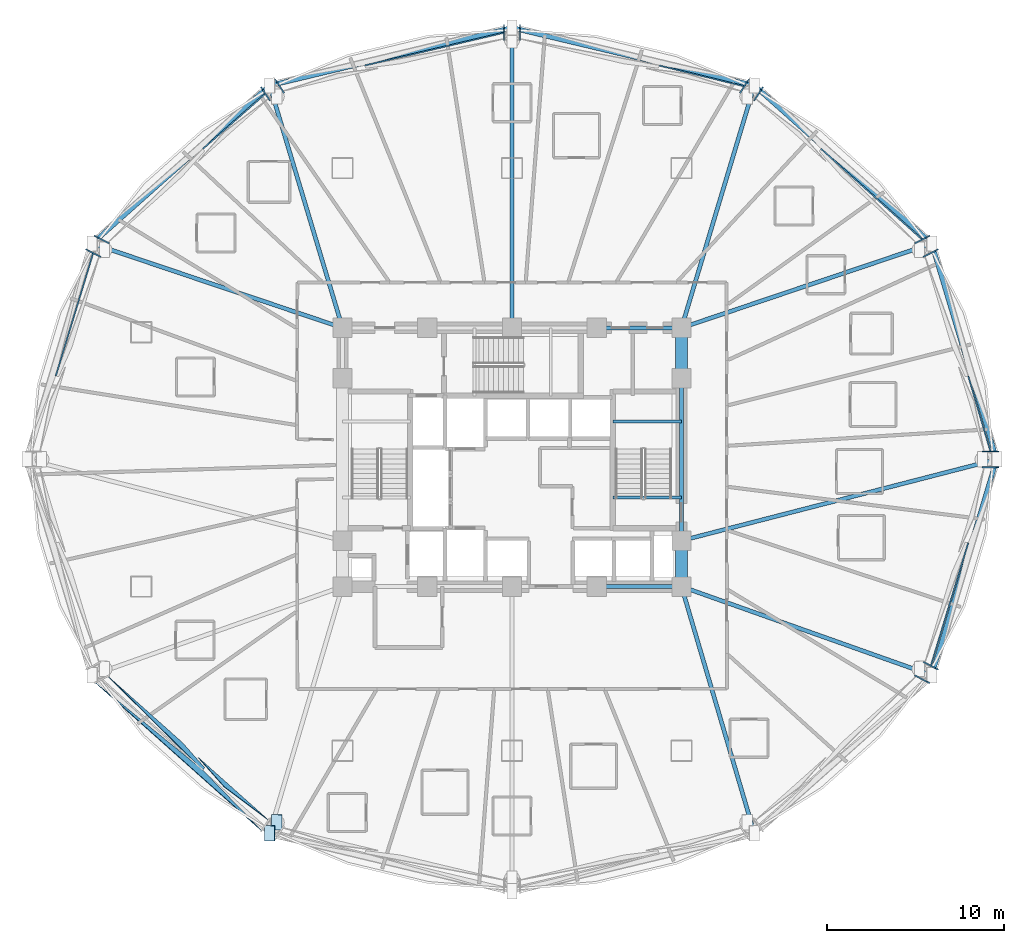
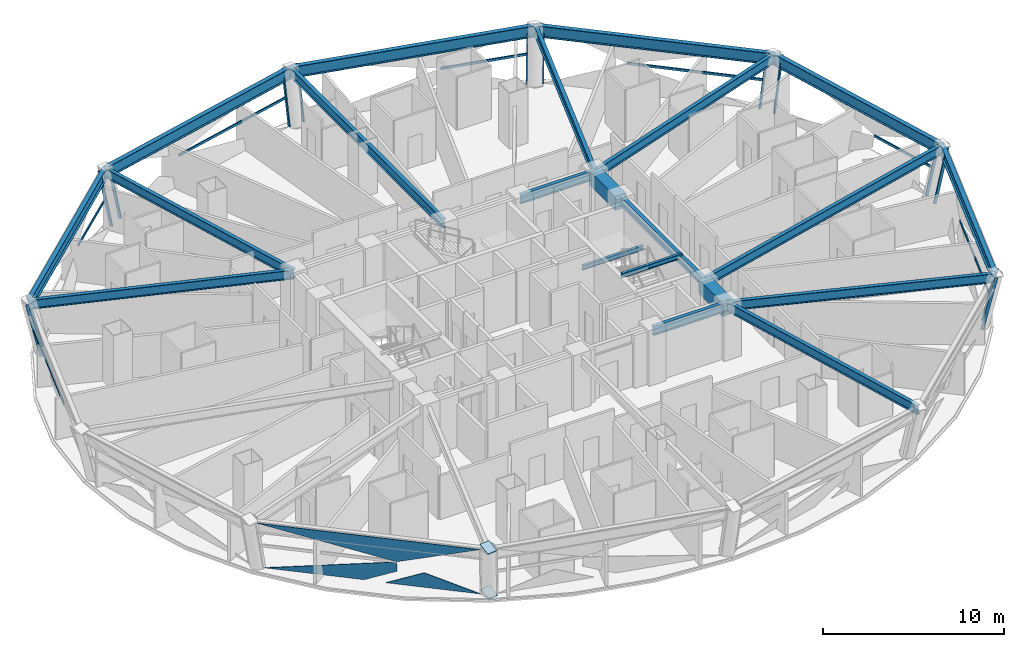
# One storey, part 2 of 13: 21 beams, 21 members, 5 plates, 9 elements without a shape of their own.
"""IFC4 building model written with IfcOpenShell, lengths in metres."""

from ifc_helpers import new_model, si_unit, direction, frame, origin, origin_2d, place, context, subcontext, project, spatial, polyline, rectangle, hollow_rectangle, i_section, outline, extrude, material, layer, layer_set, material_profile, profile_set, type_object, element, aggregate, save


model = new_model("IFC4")

# Units and contexts
model_context = context("Model", 3, precision=1e-05, world=origin(), true_north=direction((0.0, 1.0)))
body_context = subcontext(model_context, "Body", "Model", "MODEL_VIEW")
ifc_project = project(units=[si_unit("LENGTHUNIT", "METRE"), si_unit("AREAUNIT", "SQUARE_METRE"), si_unit("VOLUMEUNIT", "CUBIC_METRE"), si_unit("PLANEANGLEUNIT", "RADIAN"), si_unit("MASSUNIT", "GRAM", prefix="KILO")], contexts=[model_context])

# Site, building, storey
site_placement = place(None, origin())
site = spatial("IfcSite", under=ifc_project, at=site_placement, CompositionType="ELEMENT")
building_placement = place(site_placement, origin())
building = spatial("IfcBuilding", under=site, at=building_placement, Name="Vantalir Tower", CompositionType="ELEMENT")
storey_placement = place(building_placement, frame((0.0, 0.0, 53.25)))
storey = spatial("IfcBuildingStorey", under=building, at=storey_placement, Name="L12", CompositionType="ELEMENT", Elevation=53.25)

# Beams
ifc_material_1 = material(Name="Concrete C60/75", Category="concrete")
ifc_material_profile_1 = material_profile(ifc_material_1, rectangle(XDim=0.699951171875, YDim=0.949951171875, at=origin_2d()), Name="Concrete C60/75")
ifc_profile_set_1 = profile_set([ifc_material_profile_1], Name="Concrete C60/75")
beam_type_1 = type_object("IfcBeamType", Name="BM-CB-700x950", PredefinedType="USERDEFINED", material=ifc_profile_set_1)
beam_1_placement = place(storey_placement, frame((41.10009765625, 17.800048828125, 3.094970703125), z_axis=(0.0, 1.0, 0.0), x_axis=(-1.0, 0.0, 0.0)))
element("IfcBeam", 1, at=beam_1_placement, inside=storey, type_object=beam_type_1, Name="L12 Core Coupling Girder 05", ObjectType="GIRDER", PredefinedType="USERDEFINED", context=body_context, shape_type="SweptSolid", body=[
    extrude(rectangle(XDim=0.699951171875, YDim=0.949951171875, at=origin_2d()), origin(), (0.0, 0.0, 1.0), 2.599853515625),
])
beam_2_placement = place(storey_placement, frame((41.10009765625, 29.60009765625, 3.094970703125), z_axis=(0.0, 1.0, 0.0), x_axis=(-1.0, 0.0, 0.0)))
element("IfcBeam", 2, at=beam_2_placement, inside=storey, type_object=beam_type_1, Name="L12 Core Coupling Girder 07", ObjectType="GIRDER", PredefinedType="USERDEFINED", context=body_context, shape_type="SweptSolid", body=[
    extrude(rectangle(XDim=0.699951171875, YDim=0.949951171875, at=origin_2d()), origin(), (0.0, 0.0, 1.0), 2.849853515625),
])
ifc_material_2 = material(Name="Steel S355", Category="steel")
ifc_material_profile_2 = material_profile(ifc_material_2, i_section(OverallWidth=0.166015625, OverallDepth=0.306884765625, WebThickness=0.006591796875, FlangeThickness=0.01171875, at=origin_2d()), Name="Steel S355")
ifc_profile_set_2 = profile_set([ifc_material_profile_2], Name="Steel S355")
beam_type_2 = type_object("IfcBeamType", Name="BM-JS-305x165", PredefinedType="JOIST", material=ifc_profile_set_2)
for number, where, z_axis, x_axis, name in (
    (3, (37.2099609375, 22.8349609375, 3.595947265625), (1.0, 0.0, 0.0), (0.0, 1.0, 0.0), "L13 Stair ST2 Well Nosing Trimmer Beam"),
    (4, (37.2099609375, 27.14501953125, 1.52099609375), (1.0, 0.0, 0.0), (0.0, 1.0, 0.0), "L12 Stair ST2 Half-Landing Support Beam"),
):
    element("IfcBeam", number, at=place(storey_placement, frame(where, z_axis=z_axis, x_axis=x_axis)), inside=storey, type_object=beam_type_2, Name=name, PredefinedType="JOIST", context=body_context, shape_type="SweptSolid", body=[
        extrude(i_section(OverallWidth=0.166015625, OverallDepth=0.306884765625, WebThickness=0.006591796875, FlangeThickness=0.01171875, at=origin_2d()), origin(), (0.0, 0.0, 1.0), 3.89013671875),
    ])
ifc_material_profile_3 = material_profile(ifc_material_2, i_section(OverallWidth=0.22998046875, OverallDepth=0.616943359375, WebThickness=0.01318359375, FlangeThickness=0.022216796875, at=origin_2d()), Name="Steel S355")
ifc_profile_set_3 = profile_set([ifc_material_profile_3], Name="Steel S355")
beam_type_3 = type_object("IfcBeamType", Name="BM-RB-610x229", PredefinedType="BEAM", material=ifc_profile_set_3)
beam_3_placement = place(storey_placement, frame((36.300048828125, 17.800048828125, 3.261962890625), z_axis=(1.0, 0.0, 0.0), x_axis=(0.0, 1.0, 0.0)))
element("IfcBeam", 5, at=beam_3_placement, inside=storey, type_object=beam_type_3, Name="L12 Core Coupling Girder 04", PredefinedType="BEAM", context=body_context, shape_type="SweptSolid", body=[
    extrude(i_section(OverallWidth=0.22998046875, OverallDepth=0.616943359375, WebThickness=0.01318359375, FlangeThickness=0.022216796875, at=origin_2d()), origin(), (0.0, 0.0, 1.0), 4.800048828125),
])
beam_4_placement = place(storey_placement, frame((41.10009765625, 20.39990234375, 3.261962890625), z_axis=(0.0, 1.0, 0.0), x_axis=(-1.0, 0.0, 0.0)))
element("IfcBeam", 6, at=beam_4_placement, inside=storey, type_object=beam_type_3, Name="L12 Core Coupling Girder 06", PredefinedType="BEAM", context=body_context, shape_type="SweptSolid", body=[
    extrude(i_section(OverallWidth=0.22998046875, OverallDepth=0.616943359375, WebThickness=0.01318359375, FlangeThickness=0.022216796875, at=origin_2d()), origin(), (0.0, 0.0, 1.0), 9.2001953125),
])
beam_5_placement = place(storey_placement, frame((41.10009765625, 32.449951171875, 3.261962890625), z_axis=(-1.0, 0.0, 0.0), x_axis=(0.0, -1.0, 0.0)))
element("IfcBeam", 7, at=beam_5_placement, inside=storey, type_object=beam_type_3, Name="L12 Core Coupling Girder 08", PredefinedType="BEAM", context=body_context, shape_type="SweptSolid", body=[
    extrude(i_section(OverallWidth=0.22998046875, OverallDepth=0.616943359375, WebThickness=0.01318359375, FlangeThickness=0.022216796875, at=origin_2d()), origin(), (0.0, 0.0, 1.0), 4.800048828125),
])
beam_6_placement = place(storey_placement, frame((58.950927734375, 25.0, 3.261962890625), z_axis=(-0.968363475004, -0.249543944582, 0.0), x_axis=(0.249543944582, -0.968363475004, 0.0)))
element("IfcBeam", 8, at=beam_6_placement, inside=storey, type_object=beam_type_3, Name="L12 Radial Floor Beam 01", PredefinedType="BEAM", context=body_context, shape_type="SweptSolid", body=[
    extrude(i_section(OverallWidth=0.22998046875, OverallDepth=0.616943359375, WebThickness=0.01318359375, FlangeThickness=0.022216796875, at=origin_2d()), origin(), (0.0, 0.0, 1.0), 18.43408203125),
])
beam_7_placement = place(storey_placement, frame((55.27294921875, 37.22509765625, 3.261962890625), z_axis=(-0.947658091823, -0.319286925825, 0.0), x_axis=(0.319286925825, -0.947658091823, 0.0)))
element("IfcBeam", 9, at=beam_7_placement, inside=storey, type_object=beam_type_3, Name="L12 Radial Floor Beam 02", PredefinedType="BEAM", context=body_context, shape_type="SweptSolid", body=[
    extrude(i_section(OverallWidth=0.22998046875, OverallDepth=0.616943359375, WebThickness=0.01318359375, FlangeThickness=0.022216796875, at=origin_2d()), origin(), (0.0, 0.0, 1.0), 14.95556640625),
])
beam_8_placement = place(storey_placement, frame((45.22607421875, 46.175048828125, 3.261962890625), z_axis=(-0.287888578324, -0.95766391102, 0.0), x_axis=(0.95766391102, -0.287888578324, 0.0)))
element("IfcBeam", 10, at=beam_8_placement, inside=storey, type_object=beam_type_3, Name="L12 Radial Floor Beam 03", PredefinedType="BEAM", context=body_context, shape_type="SweptSolid", body=[
    extrude(i_section(OverallWidth=0.22998046875, OverallDepth=0.616943359375, WebThickness=0.01318359375, FlangeThickness=0.022216796875, at=origin_2d()), origin(), (0.0, 0.0, 1.0), 14.331787109375),
])
beam_9_placement = place(storey_placement, frame((31.5, 49.450927734375, 3.261962890625), z_axis=(0.0, -1.0, 0.0), x_axis=(1.0, 0.0, 0.0)))
element("IfcBeam", 11, at=beam_9_placement, inside=storey, type_object=beam_type_3, Name="L12 Radial Floor Beam 04", PredefinedType="BEAM", context=body_context, shape_type="SweptSolid", body=[
    extrude(i_section(OverallWidth=0.22998046875, OverallDepth=0.616943359375, WebThickness=0.01318359375, FlangeThickness=0.022216796875, at=origin_2d()), origin(), (0.0, 0.0, 1.0), 17.0009765625),
])
beam_10_placement = place(storey_placement, frame((17.77490234375, 46.175048828125, 3.261962890625), z_axis=(0.287826084552, -0.957682695391, 0.0), x_axis=(0.957682695391, 0.287826084552, 0.0)))
element("IfcBeam", 12, at=beam_10_placement, inside=storey, type_object=beam_type_3, Name="L12 Radial Floor Beam 05", PredefinedType="BEAM", context=body_context, shape_type="SweptSolid", body=[
    extrude(i_section(OverallWidth=0.22998046875, OverallDepth=0.616943359375, WebThickness=0.01318359375, FlangeThickness=0.022216796875, at=origin_2d()), origin(), (0.0, 0.0, 1.0), 14.33154296875),
])
beam_11_placement = place(storey_placement, frame((7.72705078125, 37.22509765625, 3.261962890625), z_axis=(0.947658091823, -0.319286925825, 0.0), x_axis=(0.319286925825, 0.947658091823, 0.0)))
element("IfcBeam", 13, at=beam_11_placement, inside=storey, type_object=beam_type_3, Name="L12 Radial Floor Beam 06", PredefinedType="BEAM", context=body_context, shape_type="SweptSolid", body=[
    extrude(i_section(OverallWidth=0.22998046875, OverallDepth=0.616943359375, WebThickness=0.01318359375, FlangeThickness=0.022216796875, at=origin_2d()), origin(), (0.0, 0.0, 1.0), 14.95556640625),
])
beam_12_placement = place(storey_placement, frame((45.22607421875, 3.824951171875, 3.261962890625), z_axis=(-0.28315491657, 0.959074185463, 0.0), x_axis=(-0.959074185463, -0.28315491657, 0.0)))
element("IfcBeam", 14, at=beam_12_placement, inside=storey, type_object=beam_type_3, Name="L12 Radial Floor Beam 11", PredefinedType="BEAM", context=body_context, shape_type="SweptSolid", body=[
    extrude(i_section(OverallWidth=0.22998046875, OverallDepth=0.616943359375, WebThickness=0.01318359375, FlangeThickness=0.022216796875, at=origin_2d()), origin(), (0.0, 0.0, 1.0), 14.571533203125),
])
beam_13_placement = place(storey_placement, frame((55.27294921875, 12.77392578125, 3.261962890625), z_axis=(-0.942489624412, 0.334235407872, 0.0), x_axis=(-0.334235407872, -0.942489624412, 0.0)))
element("IfcBeam", 15, at=beam_13_placement, inside=storey, type_object=beam_type_3, Name="L12 Radial Floor Beam 12", PredefinedType="BEAM", context=body_context, shape_type="SweptSolid", body=[
    extrude(i_section(OverallWidth=0.22998046875, OverallDepth=0.616943359375, WebThickness=0.01318359375, FlangeThickness=0.022216796875, at=origin_2d()), origin(), (0.0, 0.0, 1.0), 15.03759765625),
])
ifc_material_3 = material(Name="Steel S460", Category="steel")
ifc_material_profile_4 = material_profile(ifc_material_3, i_section(OverallWidth=0.26806640625, OverallDepth=0.77001953125, WebThickness=0.015625, FlangeThickness=0.025390625, at=origin_2d()), Name="Steel S460")
ifc_profile_set_4 = profile_set([ifc_material_profile_4], Name="Steel S460")
beam_type_4 = type_object("IfcBeamType", Name="BM-RG-762x267", PredefinedType="USERDEFINED", material=ifc_profile_set_4)
beam_14_placement = place(storey_placement, frame((58.950927734375, 25.0, 3.18505859375), z_axis=(-0.28809870996, 0.957600717063, 0.0), x_axis=(-0.957600717063, -0.28809870996, 0.0)))
element("IfcBeam", 16, at=beam_14_placement, inside=storey, type_object=beam_type_4, Name="L12 Circumferential Ring Girder 01", ObjectType="GIRDER", PredefinedType="USERDEFINED", context=body_context, shape_type="SweptSolid", body=[
    extrude(i_section(OverallWidth=0.26806640625, OverallDepth=0.77001953125, WebThickness=0.015625, FlangeThickness=0.025390625, at=origin_2d()), origin(), (0.0, 0.0, 1.0), 12.766357421875),
])
beam_15_placement = place(storey_placement, frame((55.27294921875, 37.22509765625, 3.18505859375), z_axis=(-0.746693105456, 0.665168705115, 0.0), x_axis=(-0.665168705115, -0.746693105456, 0.0)))
element("IfcBeam", 17, at=beam_15_placement, inside=storey, type_object=beam_type_4, Name="L12 Circumferential Ring Girder 02", ObjectType="GIRDER", PredefinedType="USERDEFINED", context=body_context, shape_type="SweptSolid", body=[
    extrude(i_section(OverallWidth=0.26806640625, OverallDepth=0.77001953125, WebThickness=0.015625, FlangeThickness=0.025390625, at=origin_2d()), origin(), (0.0, 0.0, 1.0), 13.455078125),
])
beam_16_placement = place(storey_placement, frame((45.22607421875, 46.175048828125, 3.18505859375), z_axis=(-0.97268207428, 0.232141298294, 0.0), x_axis=(-0.232141298294, -0.97268207428, 0.0)))
element("IfcBeam", 18, at=beam_16_placement, inside=storey, type_object=beam_type_4, Name="L12 Circumferential Ring Girder 03", ObjectType="GIRDER", PredefinedType="USERDEFINED", context=body_context, shape_type="SweptSolid", body=[
    extrude(i_section(OverallWidth=0.26806640625, OverallDepth=0.77001953125, WebThickness=0.015625, FlangeThickness=0.025390625, at=origin_2d()), origin(), (0.0, 0.0, 1.0), 14.111572265625),
])
beam_17_placement = place(storey_placement, frame((31.5, 49.450927734375, 3.18505859375), z_axis=(-0.972678344586, -0.23215692532, 0.0), x_axis=(0.23215692532, -0.972678344586, 0.0)))
element("IfcBeam", 19, at=beam_17_placement, inside=storey, type_object=beam_type_4, Name="L12 Circumferential Ring Girder 04", ObjectType="GIRDER", PredefinedType="USERDEFINED", context=body_context, shape_type="SweptSolid", body=[
    extrude(i_section(OverallWidth=0.26806640625, OverallDepth=0.77001953125, WebThickness=0.015625, FlangeThickness=0.025390625, at=origin_2d()), origin(), (0.0, 0.0, 1.0), 14.110595703125),
])
beam_18_placement = place(storey_placement, frame((17.77490234375, 46.175048828125, 3.18505859375), z_axis=(-0.746725215396, -0.665132657965, 0.0), x_axis=(0.665132657965, -0.746725215396, 0.0)))
element("IfcBeam", 20, at=beam_18_placement, inside=storey, type_object=beam_type_4, Name="L12 Circumferential Ring Girder 05", ObjectType="GIRDER", PredefinedType="USERDEFINED", context=body_context, shape_type="SweptSolid", body=[
    extrude(i_section(OverallWidth=0.26806640625, OverallDepth=0.77001953125, WebThickness=0.015625, FlangeThickness=0.025390625, at=origin_2d()), origin(), (0.0, 0.0, 1.0), 13.455810546875),
])
beam_19_placement = place(storey_placement, frame((55.27294921875, 12.77392578125, 3.18505859375), z_axis=(0.288077607768, 0.957607065504, 0.0), x_axis=(-0.957607065504, 0.288077607768, 0.0)))
element("IfcBeam", 21, at=beam_19_placement, inside=storey, type_object=beam_type_4, Name="L12 Circumferential Ring Girder 12", ObjectType="GIRDER", PredefinedType="USERDEFINED", context=body_context, shape_type="SweptSolid", body=[
    extrude(i_section(OverallWidth=0.26806640625, OverallDepth=0.77001953125, WebThickness=0.015625, FlangeThickness=0.025390625, at=origin_2d()), origin(), (0.0, 0.0, 1.0), 12.767333984375),
])

# Curtain wall, members
ifc_material_4 = material(Name="Champagne-silver PVDF aluminium and double-silver Low-E glass", Category="aluminium")
ifc_layer_1 = layer(ifc_material_4, 0.18994140625)
ifc_layer_set_1 = layer_set([ifc_layer_1], Name="Champagne-silver PVDF aluminium and double-silver Low-E glass")
curtain_wall_type = type_object("IfcCurtainWallType", Name="CW-DIAMOND-Z1", PredefinedType="USERDEFINED", material=ifc_layer_set_1)
curtain_wall_1_placement = place(storey_placement, origin())
curtain_wall_1 = element("IfcCurtainWall", 22, at=curtain_wall_1_placement, inside=storey, type_object=curtain_wall_type, Name="L12 Quilted Pyramid-Diamond Curtain Wall S01", ObjectType="UNITISED CURTAIN WALL", PredefinedType="USERDEFINED")
ifc_material_5 = material(Name="Champagne-silver PVDF aluminium 6063-T6", Category="aluminium")
ifc_material_profile_5 = material_profile(ifc_material_5, hollow_rectangle(XDim=0.074951171875, YDim=0.179931640625, WallThickness=0.00390625, at=origin_2d()), Name="Champagne-silver PVDF aluminium 6063-T6")
ifc_profile_set_5 = profile_set([ifc_material_profile_5], Name="Champagne-silver PVDF aluminium 6063-T6")
member_type_1 = type_object("IfcMemberType", Name="CWM-180x75", PredefinedType="MULLION", material=ifc_profile_set_5)
member_1_placement = place(storey_placement, frame((58.194091796875, 25.449951171875, 0.044921875), z_axis=(0.227233935129, 0.0, 0.973840201843), x_axis=(0.0, 1.0, 0.0)))
member_1 = element("IfcMember", 23, at=member_1_placement, type_object=member_type_1, Name="CW-L12-S01 Mullion 1", PredefinedType="MULLION", context=body_context, shape_type="SweptSolid", body=[
    extrude(hollow_rectangle(XDim=0.074951171875, YDim=0.179931640625, WallThickness=0.00390625, at=origin_2d()), origin(), (0.0, 0.0, 1.0), 3.573486328125),
])
member_2_placement = place(storey_placement, frame((54.8701171875, 36.508056640625, 0.044921875), z_axis=(0.196958865641, 0.101455365663, 0.975148201056), x_axis=(-0.45792701067, 0.888989793473, 0.0)))
member_2 = element("IfcMember", 24, at=member_2_placement, type_object=member_type_1, Name="CW-L12-S01 Mullion 2", PredefinedType="MULLION", context=body_context, shape_type="SweptSolid", body=[
    extrude(hollow_rectangle(XDim=0.074951171875, YDim=0.179931640625, WallThickness=0.00390625, at=origin_2d()), origin(), (0.0, 0.0, 1.0), 3.568603515625),
])

curtain_wall_2_placement = place(storey_placement, origin())
curtain_wall_2 = element("IfcCurtainWall", 25, at=curtain_wall_2_placement, inside=storey, type_object=curtain_wall_type, Name="L12 Quilted Pyramid-Diamond Curtain Wall S02", ObjectType="UNITISED CURTAIN WALL", PredefinedType="USERDEFINED")
member_3_placement = place(storey_placement, frame((54.384033203125, 37.27099609375, 0.044921875), z_axis=(0.196958865641, 0.101455365663, 0.975148201056), x_axis=(-0.45792701067, 0.888989793473, 0.0)))
member_3 = element("IfcMember", 26, at=member_3_placement, type_object=member_type_1, Name="CW-L12-S02 Mullion 1", PredefinedType="MULLION", context=body_context, shape_type="SweptSolid", body=[
    extrude(hollow_rectangle(XDim=0.074951171875, YDim=0.179931640625, WallThickness=0.00390625, at=origin_2d()), origin(), (0.0, 0.0, 1.0), 3.568603515625),
])
member_4_placement = place(storey_placement, frame((45.26611328125, 45.39892578125, 0.044921875), z_axis=(0.114064109014, 0.176480428439, 0.977672766018), x_axis=(-0.839850279491, 0.542818116904, 0.0)))
member_4 = element("IfcMember", 27, at=member_4_placement, type_object=member_type_1, Name="CW-L12-S02 Mullion 2", PredefinedType="MULLION", context=body_context, shape_type="SweptSolid", body=[
    extrude(hollow_rectangle(XDim=0.074951171875, YDim=0.179931640625, WallThickness=0.00390625, at=origin_2d()), origin(), (0.0, 0.0, 1.0), 3.5595703125),
])

curtain_wall_3_placement = place(storey_placement, origin())
curtain_wall_3 = element("IfcCurtainWall", 28, at=curtain_wall_3_placement, inside=storey, type_object=curtain_wall_type, Name="L12 Quilted Pyramid-Diamond Curtain Wall S03", ObjectType="UNITISED CURTAIN WALL", PredefinedType="USERDEFINED")
member_5_placement = place(storey_placement, frame((44.4580078125, 45.821044921875, 0.044921875), z_axis=(0.11406548948, 0.176413974109, 0.977684598349), x_axis=(-0.839754063035, 0.542966954443, 0.0)))
member_5 = element("IfcMember", 29, at=member_5_placement, type_object=member_type_1, Name="CW-L12-S03 Mullion 1", PredefinedType="MULLION", context=body_context, shape_type="SweptSolid", body=[
    extrude(hollow_rectangle(XDim=0.074951171875, YDim=0.179931640625, WallThickness=0.00390625, at=origin_2d()), origin(), (0.0, 0.0, 1.0), 3.559326171875),
])
member_6_placement = place(storey_placement, frame((31.95703125, 48.806884765625, 0.044921875), z_axis=(0.0, 0.203981680601, 0.978974705485), x_axis=(-1.0, 0.0, 0.0)))
member_6 = element("IfcMember", 30, at=member_6_placement, type_object=member_type_1, Name="CW-L12-S03 Mullion 2", PredefinedType="MULLION", context=body_context, shape_type="SweptSolid", body=[
    extrude(hollow_rectangle(XDim=0.074951171875, YDim=0.179931640625, WallThickness=0.00390625, at=origin_2d()), origin(), (0.0, 0.0, 1.0), 3.5546875),
])

curtain_wall_4_placement = place(storey_placement, origin())
curtain_wall_4 = element("IfcCurtainWall", 31, at=curtain_wall_4_placement, inside=storey, type_object=curtain_wall_type, Name="L12 Quilted Pyramid-Diamond Curtain Wall S04", ObjectType="UNITISED CURTAIN WALL", PredefinedType="USERDEFINED")
member_7_placement = place(storey_placement, frame((31.04296875, 48.806884765625, 0.044921875), z_axis=(0.0, 0.203981680601, 0.978974705485), x_axis=(-1.0, 0.0, 0.0)))
member_7 = element("IfcMember", 32, at=member_7_placement, type_object=member_type_1, Name="CW-L12-S04 Mullion 1", PredefinedType="MULLION", context=body_context, shape_type="SweptSolid", body=[
    extrude(hollow_rectangle(XDim=0.074951171875, YDim=0.179931640625, WallThickness=0.00390625, at=origin_2d()), origin(), (0.0, 0.0, 1.0), 3.5546875),
])
member_8_placement = place(storey_placement, frame((18.54296875, 45.821044921875, 0.044921875), z_axis=(-0.11406548948, 0.176413974109, 0.977684598349), x_axis=(-0.839754063035, -0.542966954443, 0.0)))
member_8 = element("IfcMember", 33, at=member_8_placement, type_object=member_type_1, Name="CW-L12-S04 Mullion 2", PredefinedType="MULLION", context=body_context, shape_type="SweptSolid", body=[
    extrude(hollow_rectangle(XDim=0.074951171875, YDim=0.179931640625, WallThickness=0.00390625, at=origin_2d()), origin(), (0.0, 0.0, 1.0), 3.559326171875),
])

curtain_wall_5_placement = place(storey_placement, origin())
curtain_wall_5 = element("IfcCurtainWall", 34, at=curtain_wall_5_placement, inside=storey, type_object=curtain_wall_type, Name="L12 Quilted Pyramid-Diamond Curtain Wall S05", ObjectType="UNITISED CURTAIN WALL", PredefinedType="USERDEFINED")
member_9_placement = place(storey_placement, frame((17.735107421875, 45.39892578125, 0.044921875), z_axis=(-0.114064109014, 0.176480428439, 0.977672766018), x_axis=(-0.839850279491, -0.542818116904, 0.0)))
member_9 = element("IfcMember", 35, at=member_9_placement, type_object=member_type_1, Name="CW-L12-S05 Mullion 1", PredefinedType="MULLION", context=body_context, shape_type="SweptSolid", body=[
    extrude(hollow_rectangle(XDim=0.074951171875, YDim=0.179931640625, WallThickness=0.00390625, at=origin_2d()), origin(), (0.0, 0.0, 1.0), 3.5595703125),
])
member_10_placement = place(storey_placement, frame((8.615966796875, 37.27099609375, 0.044921875), z_axis=(-0.196958865641, 0.101455365663, 0.975148201056), x_axis=(-0.45792701067, -0.888989793473, 0.0)))
member_10 = element("IfcMember", 36, at=member_10_placement, type_object=member_type_1, Name="CW-L12-S05 Mullion 2", PredefinedType="MULLION", context=body_context, shape_type="SweptSolid", body=[
    extrude(hollow_rectangle(XDim=0.074951171875, YDim=0.179931640625, WallThickness=0.00390625, at=origin_2d()), origin(), (0.0, 0.0, 1.0), 3.568603515625),
])

# Curtain wall, member
curtain_wall_6_placement = place(storey_placement, origin())
curtain_wall_6 = element("IfcCurtainWall", 37, at=curtain_wall_6_placement, inside=storey, type_object=curtain_wall_type, Name="L12 Quilted Pyramid-Diamond Curtain Wall S06", ObjectType="UNITISED CURTAIN WALL", PredefinedType="USERDEFINED")
member_11_placement = place(storey_placement, frame((8.1298828125, 36.508056640625, 0.044921875), z_axis=(-0.196958865641, 0.101455365663, 0.975148201056), x_axis=(-0.45792701067, -0.888989793473, 0.0)))
member_11 = element("IfcMember", 38, at=member_11_placement, type_object=member_type_1, Name="CW-L12-S06 Mullion 1", PredefinedType="MULLION", context=body_context, shape_type="SweptSolid", body=[
    extrude(hollow_rectangle(XDim=0.074951171875, YDim=0.179931640625, WallThickness=0.00390625, at=origin_2d()), origin(), (0.0, 0.0, 1.0), 3.568603515625),
])

curtain_wall_7_placement = place(storey_placement, origin())
curtain_wall_7 = element("IfcCurtainWall", 39, at=curtain_wall_7_placement, inside=storey, type_object=curtain_wall_type, Name="L12 Quilted Pyramid-Diamond Curtain Wall S11", ObjectType="UNITISED CURTAIN WALL", PredefinedType="USERDEFINED")
member_12_placement = place(storey_placement, frame((54.384033203125, 12.72900390625, 0.044921875), z_axis=(0.196953390294, -0.101726186651, 0.975121092481), x_axis=(0.458902314779, 0.888486727808, 0.0)))
member_12 = element("IfcMember", 40, at=member_12_placement, type_object=member_type_1, Name="CW-L12-S11 Mullion 2", PredefinedType="MULLION", context=body_context, shape_type="SweptSolid", body=[
    extrude(hollow_rectangle(XDim=0.074951171875, YDim=0.179931640625, WallThickness=0.00390625, at=origin_2d()), origin(), (0.0, 0.0, 1.0), 3.56884765625),
])
aggregate(curtain_wall_7, [member_12])

# Curtain wall, members
curtain_wall_8_placement = place(storey_placement, origin())
curtain_wall_8 = element("IfcCurtainWall", 41, at=curtain_wall_8_placement, inside=storey, type_object=curtain_wall_type, Name="L12 Quilted Pyramid-Diamond Curtain Wall S12", ObjectType="UNITISED CURTAIN WALL", PredefinedType="USERDEFINED")
member_13_placement = place(storey_placement, frame((54.8701171875, 13.491943359375, 0.044921875), z_axis=(0.196953390294, -0.101726186651, 0.975121092481), x_axis=(0.458902314779, 0.888486727808, 0.0)))
member_13 = element("IfcMember", 42, at=member_13_placement, type_object=member_type_1, Name="CW-L12-S12 Mullion 1", PredefinedType="MULLION", context=body_context, shape_type="SweptSolid", body=[
    extrude(hollow_rectangle(XDim=0.074951171875, YDim=0.179931640625, WallThickness=0.00390625, at=origin_2d()), origin(), (0.0, 0.0, 1.0), 3.56884765625),
])
member_14_placement = place(storey_placement, frame((58.194091796875, 24.550048828125, 0.044921875), z_axis=(0.227233935129, 0.0, 0.973840201843), x_axis=(0.0, 1.0, 0.0)))
member_14 = element("IfcMember", 43, at=member_14_placement, type_object=member_type_1, Name="CW-L12-S12 Mullion 2", PredefinedType="MULLION", context=body_context, shape_type="SweptSolid", body=[
    extrude(hollow_rectangle(XDim=0.074951171875, YDim=0.179931640625, WallThickness=0.00390625, at=origin_2d()), origin(), (0.0, 0.0, 1.0), 3.573486328125),
])

# Member
ifc_material_profile_6 = material_profile(ifc_material_5, hollow_rectangle(XDim=0.074951171875, YDim=0.159912109375, WallThickness=0.00390625, at=origin_2d()), Name="Champagne-silver PVDF aluminium 6063-T6")
ifc_profile_set_6 = profile_set([ifc_material_profile_6], Name="Champagne-silver PVDF aluminium 6063-T6")
member_type_2 = type_object("IfcMemberType", Name="CWT-160x75", PredefinedType="USERDEFINED", material=ifc_profile_set_6)
member_15_placement = place(storey_placement, frame((58.60009765625, 25.449951171875, 1.784912109375), z_axis=(-0.282706028366, 0.959206600022, 0.0), x_axis=(-0.959206600022, -0.282706028366, 0.0)))
member_15 = element("IfcMember", 44, at=member_15_placement, type_object=member_type_2, Name="CW-L12-S01 Pyramid Fold Ridge Transom", ObjectType="TRANSOM", PredefinedType="USERDEFINED", context=body_context, shape_type="SweptSolid", body=[
    extrude(hollow_rectangle(XDim=0.074951171875, YDim=0.159912109375, WallThickness=0.00390625, at=origin_2d()), origin(), (0.0, 0.0, 1.0), 4.45703125),
])

aggregate(curtain_wall_1, [member_1, member_2, member_15])

member_16_placement = place(storey_placement, frame((54.736083984375, 37.451904296875, 1.784912109375), z_axis=(-0.744387822053, 0.667747534911, 0.0), x_axis=(-0.667747534911, -0.744387822053, 0.0)))
member_16 = element("IfcMember", 45, at=member_16_placement, type_object=member_type_2, Name="CW-L12-S02 Pyramid Fold Ridge Transom", ObjectType="TRANSOM", PredefinedType="USERDEFINED", context=body_context, shape_type="SweptSolid", body=[
    extrude(hollow_rectangle(XDim=0.074951171875, YDim=0.159912109375, WallThickness=0.00390625, at=origin_2d()), origin(), (0.0, 0.0, 1.0), 7.6962890625),
])

aggregate(curtain_wall_2, [member_3, member_4, member_16])

member_17_placement = place(storey_placement, frame((44.660888671875, 46.135009765625, 1.784912109375), z_axis=(-0.971487995976, 0.237088746409, 0.0), x_axis=(-0.237088746409, -0.971487995976, 0.0)))
member_17 = element("IfcMember", 46, at=member_17_placement, type_object=member_type_2, Name="CW-L12-S03 Pyramid Fold Ridge Transom", ObjectType="TRANSOM", PredefinedType="USERDEFINED", context=body_context, shape_type="SweptSolid", body=[
    extrude(hollow_rectangle(XDim=0.074951171875, YDim=0.159912109375, WallThickness=0.00390625, at=origin_2d()), origin(), (0.0, 0.0, 1.0), 4.960205078125),
])

aggregate(curtain_wall_3, [member_5, member_6, member_17])

member_18_placement = place(storey_placement, frame((31.04296875, 49.1689453125, 1.784912109375), z_axis=(-0.973338844082, -0.229371956878, 0.0), x_axis=(0.229371956878, -0.973338844082, 0.0)))
member_18 = element("IfcMember", 47, at=member_18_placement, type_object=member_type_2, Name="CW-L12-S04 Pyramid Fold Ridge Transom", ObjectType="TRANSOM", PredefinedType="USERDEFINED", context=body_context, shape_type="SweptSolid", body=[
    extrude(hollow_rectangle(XDim=0.074951171875, YDim=0.159912109375, WallThickness=0.00390625, at=origin_2d()), origin(), (0.0, 0.0, 1.0), 8.10009765625),
])

aggregate(curtain_wall_4, [member_7, member_8, member_18])

member_19_placement = place(storey_placement, frame((17.531982421875, 45.712890625, 1.784912109375), z_axis=(-0.749929941921, -0.661517257681, 0.0), x_axis=(0.661517257681, -0.749929941921, 0.0)))
member_19 = element("IfcMember", 48, at=member_19_placement, type_object=member_type_2, Name="CW-L12-S05 Pyramid Fold Ridge Transom", ObjectType="TRANSOM", PredefinedType="USERDEFINED", context=body_context, shape_type="SweptSolid", body=[
    extrude(hollow_rectangle(XDim=0.074951171875, YDim=0.159912109375, WallThickness=0.00390625, at=origin_2d()), origin(), (0.0, 0.0, 1.0), 4.71923828125),
])

aggregate(curtain_wall_5, [member_9, member_10, member_19])

member_20_placement = place(storey_placement, frame((7.778076171875, 36.68896484375, 1.784912109375), z_axis=(-0.291001450672, -0.956722611684, 0.0), x_axis=(0.956722611684, -0.291001450672, 0.0)))
member_20 = element("IfcMember", 49, at=member_20_placement, type_object=member_type_2, Name="CW-L12-S06 Pyramid Fold Ridge Transom", ObjectType="TRANSOM", PredefinedType="USERDEFINED", context=body_context, shape_type="SweptSolid", body=[
    extrude(hollow_rectangle(XDim=0.074951171875, YDim=0.159912109375, WallThickness=0.00390625, at=origin_2d()), origin(), (0.0, 0.0, 1.0), 7.27880859375),
])

aggregate(curtain_wall_6, [member_11, member_20])

member_21_placement = place(storey_placement, frame((55.221923828125, 13.31103515625, 1.784912109375), z_axis=(0.291001450672, 0.956722611684, 0.0), x_axis=(-0.956722611684, 0.291001450672, 0.0)))
member_21 = element("IfcMember", 50, at=member_21_placement, type_object=member_type_2, Name="CW-L12-S12 Pyramid Fold Ridge Transom", ObjectType="TRANSOM", PredefinedType="USERDEFINED", context=body_context, shape_type="SweptSolid", body=[
    extrude(hollow_rectangle(XDim=0.074951171875, YDim=0.159912109375, WallThickness=0.00390625, at=origin_2d()), origin(), (0.0, 0.0, 1.0), 7.27880859375),
])

aggregate(curtain_wall_8, [member_13, member_14, member_21])

# Curtain wall, plates
curtain_wall_9_placement = place(storey_placement, origin())
curtain_wall_9 = element("IfcCurtainWall", 51, at=curtain_wall_9_placement, inside=storey, type_object=curtain_wall_type, Name="L12 Quilted Pyramid-Diamond Curtain Wall S08", ObjectType="UNITISED CURTAIN WALL", PredefinedType="USERDEFINED")
ifc_material_6 = material(Name="Double-silver Low-E laminated glass IGU", Category="glass")
ifc_layer_2 = layer(ifc_material_6, 0.028076171875)
ifc_layer_set_2 = layer_set([ifc_layer_2], Name="Double-silver Low-E laminated glass IGU")
plate_type_1 = type_object("IfcPlateType", Name="CWP-IGU-28", PredefinedType="CURTAIN_PANEL", material=ifc_layer_set_2)
plate_1_placement = place(storey_placement, frame((8.626708984375, 12.718994140625, 0.04638671875), z_axis=(0.649047216984, 0.728083280943, 0.220527653906), x_axis=(0.746461977661, -0.665428069608, -9.146398e-06)))
plate_1 = element("IfcPlate", 52, at=plate_1_placement, type_object=plate_type_1, Name="CW-L12-S08 Pyramid Diamond Facet 1L", PredefinedType="CURTAIN_PANEL", context=body_context, shape_type="SweptSolid", body=[
    extrude(outline(polyline([(0.0, 0.0), (5.623984770218806, 1.1102230246251565e-16), (7.529662987514101, -1.0265628070634218), (7.529585779865389, -1.7709108981307964), (0.0, 0.0)])), origin(), (0.0, 0.0, -1.0), 0.028076171875),
])
plate_2_placement = place(storey_placement, frame((13.73291015625, 8.12548828125, 0.039306640625), z_axis=(0.649019488223, 0.728074206771, 0.220639192668), x_axis=(0.746463691293, -0.665426145769, 4.5913624e-05)))
plate_2 = element("IfcPlate", 53, at=plate_2_placement, type_object=plate_type_1, Name="CW-L12-S08 Pyramid Diamond Facet 1L Infill Light", PredefinedType="CURTAIN_PANEL", context=body_context, shape_type="SweptSolid", body=[
    extrude(outline(polyline([(0.0, 0.0), (5.317389616598465, -7.649046326885234e-17), (2.2008080939155383, -1.185361601052863), (0.0, 0.0)])), origin(), (0.0, 0.0, -1.0), 0.028076171875),
])
plate_3_placement = place(storey_placement, frame((17.317138671875, 3.98291015625, 3.5234375), z_axis=(0.652686062731, 0.732149068392, 0.194829785119), x_axis=(-0.746455866282, 0.66543492493, 1.9401566e-05)))
plate_3 = element("IfcPlate", 54, at=plate_3_placement, type_object=plate_type_1, Name="CW-L12-S08 Pyramid Diamond Facet 2U", PredefinedType="CURTAIN_PANEL", context=body_context, shape_type="SweptSolid", body=[
    extrude(outline(polyline([(0.0, 0.0), (12.583552264157431, 1.6317242695906842e-17), (4.770955864365723, -1.7611360151521338), (0.0, 0.0)])), origin(), (0.0, 0.0, -1.0), 0.028076171875),
])
aggregate(curtain_wall_9, [plate_1, plate_2, plate_3])

# Plates
ifc_layer_3 = layer(ifc_material_3, 0.035888671875)
ifc_layer_set_3 = layer_set([ifc_layer_3], Name="Steel S460")
plate_type_2 = type_object("IfcPlateType", Name="PLT-KN-Z2", PredefinedType="USERDEFINED", material=ifc_layer_set_3)
plate_4_placement = place(storey_placement, frame((17.482666015625, 4.259033203125, 3.641845703125), z_axis=(-0.111068193731, -0.172049429458, 0.978806850285), x_axis=(0.0, -0.984900639963, -0.173120563193)))
element("IfcPlate", 55, at=plate_4_placement, inside=storey, type_object=plate_type_2, Name="L12 Ring Column Top Cap RC09", ObjectType="FLANGE_PLATE", PredefinedType="USERDEFINED", context=body_context, shape_type="SweptSolid", body=[
    extrude(outline(polyline([(0.0, 0.0), (0.8799864510013339, 0.0), (0.8798177943529027, 0.5800046275819029), (-0.0001686566484311678, 0.5800046275819029), (0.0, 0.0)])), origin(), (0.0, 0.0, -1.0), 0.035888671875),
])
plate_5_placement = place(storey_placement, frame((17.885986328125, 4.8828125, 0.09619140625), z_axis=(-0.11134489342, -0.172177788516, 0.978752841044), x_axis=(1.5117411e-05, -0.984877272285, -0.17325345107)))
element("IfcPlate", 56, at=plate_5_placement, inside=storey, type_object=plate_type_2, Name="L12 Ring Column Base Cap RC09", ObjectType="FLANGE_PLATE", PredefinedType="USERDEFINED", context=body_context, shape_type="SweptSolid", body=[
    extrude(outline(polyline([(0.0, 0.0), (0.8799864428905988, 0.0), (0.8800582567221028, 0.5800093111772098), (2.9515625676270266e-05, 0.580036084531164), (0.0, 0.0)])), origin(), (0.0, 0.0, -1.0), 0.035888671875),
])

save(model, "model.ifc")
